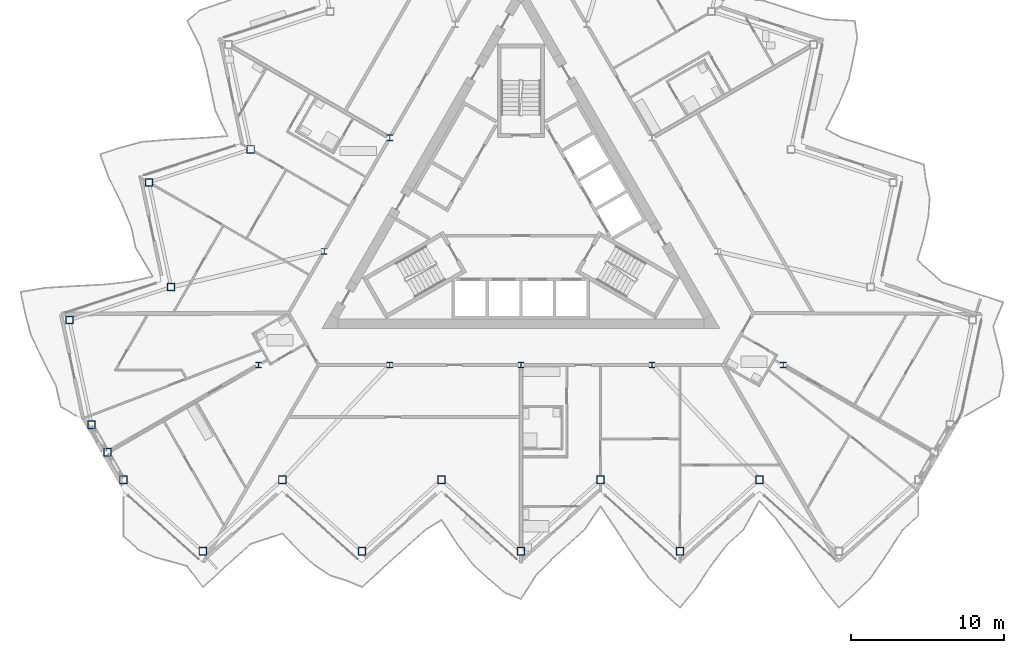
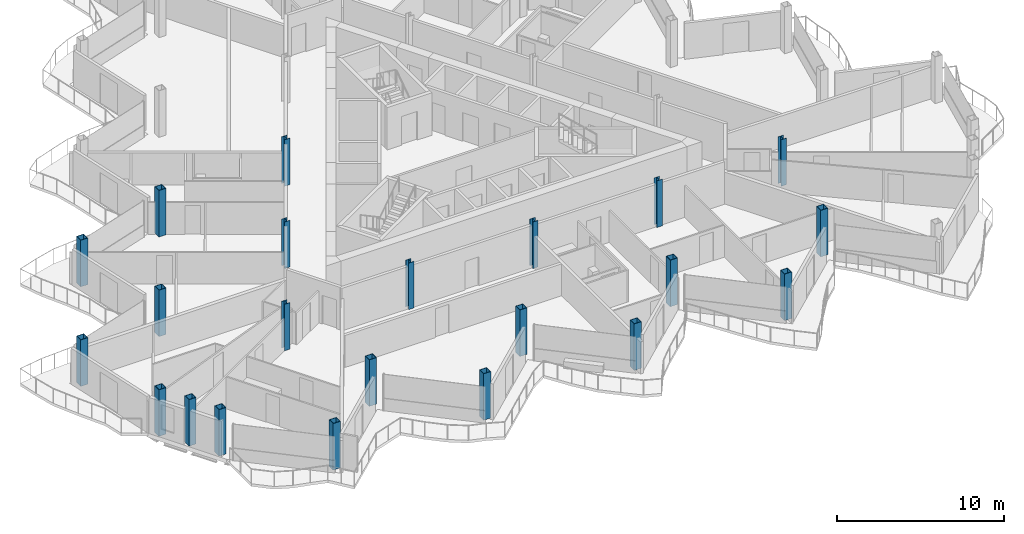
# One storey, part 1 of 26: 22 columns.
"""IFC4 building model written with IfcOpenShell, lengths in metres."""

import ifcopenshell
import ifcopenshell.guid

model = None  # the IFC model being written
_history = None  # IfcOwnerHistory: only IFC2X3 demands one
_inside = {}  # id of a spatial element -> (the spatial element, [elements in it])
_under = {}  # id of a project, library or spatial element -> (it, [spatial elements below it])
_declared = {}  # id of a project -> (the project, [libraries it declares])
_typed = {}  # id of a type object -> (the type object, [elements of that type])
_made_of = {}  # id of a material, layer set ... -> (it, [elements and type objects made of it])


def new_model(schema):
    """Start an empty IFC model of exactly this schema.

    Asked for "IFC4X3", IfcOpenShell would pick the latest addendum, in which some entities
    have other attributes; the version numbers below select the first issue.
    IFC2X3 requires an IfcOwnerHistory on every rooted entity: one is made here for all.
    """
    global model, _history
    if schema == "IFC4X3":
        model = ifcopenshell.file(schema_version=(4, 3, 0, 0))
    else:
        model = ifcopenshell.file(schema=schema)
    _inside.clear()
    _under.clear()
    _declared.clear()
    _typed.clear()
    _made_of.clear()
    _history = None
    if model.schema == "IFC2X3":
        org = make("IfcOrganization", Name="unknown")
        user = make(
            "IfcPersonAndOrganization",
            ThePerson=make("IfcPerson", FamilyName="unknown"),
            TheOrganization=org,
        )
        app = make(
            "IfcApplication",
            ApplicationDeveloper=org,
            Version="unknown",
            ApplicationFullName="unknown",
            ApplicationIdentifier="unknown",
        )
        _history = make(
            "IfcOwnerHistory",
            OwningUser=user,
            OwningApplication=app,
            ChangeAction="ADDED",
            CreationDate=0,
        )
    return model


def make(cls, **values):
    """One entity of the class cls with the attributes given. An attribute that is None is left unset."""
    return model.create_entity(
        cls, **{name: value for name, value in values.items() if value is not None}
    )


def rooted(cls, **values):
    """An entity with a GlobalId (a new one), such as an element, a storey or a relation."""
    return make(cls, GlobalId=ifcopenshell.guid.new(), OwnerHistory=_history, **values)


def si_unit(unit_type, name, prefix=None):
    """IfcSIUnit, for example si_unit("LENGTHUNIT", "METRE", prefix="MILLI")."""
    return make("IfcSIUnit", UnitType=unit_type, Prefix=prefix, Name=name)


def assignment(units):
    """IfcUnitAssignment: the units of a project."""
    return None if units is None else make("IfcUnitAssignment", Units=units)


def point(xyz):
    """IfcCartesianPoint."""
    return None if xyz is None else make("IfcCartesianPoint", Coordinates=xyz)


def direction(xyz):
    """IfcDirection."""
    return None if xyz is None else make("IfcDirection", DirectionRatios=xyz)


def frame(location, z_axis=None, x_axis=None):
    """IfcAxis2Placement3D, a coordinate frame: its origin and axes. An axis left out is left unset."""
    return make(
        "IfcAxis2Placement3D",
        Location=point(location),
        Axis=direction(z_axis),
        RefDirection=direction(x_axis),
    )


def frame_2d(location, x_axis=None):
    """IfcAxis2Placement2D, a coordinate frame in the plane: its origin and x axis."""
    return make(
        "IfcAxis2Placement2D", Location=point(location), RefDirection=direction(x_axis)
    )


def origin():
    """The frame at (0, 0, 0) with its axes left unset."""
    return frame((0.0, 0.0, 0.0))


def origin_2d():
    """The frame at (0, 0) in the plane with its x axis left unset."""
    return frame_2d((0.0, 0.0))


def place(relative_to, where):
    """IfcLocalPlacement: puts the frame where relative to a parent placement (None: the world)."""
    return make(
        "IfcLocalPlacement", PlacementRelTo=relative_to, RelativePlacement=where
    )


def context(
    kind, dimensions, precision=None, world=None, true_north=None, identifier=None
):
    """IfcGeometricRepresentationContext, for example the 3D "Model" context."""
    return make(
        "IfcGeometricRepresentationContext",
        ContextIdentifier=identifier,
        ContextType=kind,
        CoordinateSpaceDimension=dimensions,
        Precision=precision,
        WorldCoordinateSystem=world,
        TrueNorth=true_north,
    )


def subcontext(parent, identifier, kind, view, scale=None):
    """IfcGeometricRepresentationSubContext, for example "Body" below "Model"."""
    return make(
        "IfcGeometricRepresentationSubContext",
        ContextIdentifier=identifier,
        ContextType=kind,
        ParentContext=parent,
        TargetScale=scale,
        TargetView=view,
    )


def project(units=None, contexts=None):
    """IfcProject with its units and contexts."""
    return rooted(
        "IfcProject",
        Name="project",
        RepresentationContexts=contexts,
        UnitsInContext=assignment(units),
    )


def spatial(cls, under=None, at=None, **own):
    """A site, building, storey or space (cls), placed at a placement, below another one or the project."""
    s = rooted(cls, ObjectPlacement=at, **own)
    if under is not None:
        _under.setdefault(under.id(), (under, []))[1].append(s)
    return s


def profile(cls, at=None, kind="AREA", **sizes):
    """A parametric profile (cls). Its sizes go by their IFC names, for example OverallWidth=200.0."""
    return make(cls, ProfileType=kind, Position=at, **sizes)


def hollow_rectangle(**sizes):
    """IfcRectangleHollowProfileDef."""
    return profile("IfcRectangleHollowProfileDef", **sizes)


def i_section(**sizes):
    """IfcIShapeProfileDef."""
    return profile("IfcIShapeProfileDef", **sizes)


def extrude(swept, where, along, depth):
    """IfcExtrudedAreaSolid: the profile swept, set in the frame where, extruded along a direction by depth."""
    return make(
        "IfcExtrudedAreaSolid",
        SweptArea=swept,
        Position=where,
        ExtrudedDirection=direction(along),
        Depth=depth,
    )


def shape(context_of_items, identifier, shape_type, items):
    """IfcShapeRepresentation: the items that make up one representation, for example the "Body"."""
    return make(
        "IfcShapeRepresentation",
        ContextOfItems=context_of_items,
        RepresentationIdentifier=identifier,
        RepresentationType=shape_type,
        Items=items,
    )


def material(Name=None, Category=None):
    """IfcMaterial."""
    return make("IfcMaterial", Name=Name, Category=Category)


def material_profile(
    of_material, cross_section, Name=None, Category=None, Priority=None
):
    """IfcMaterialProfile: a cross section and its material."""
    return make(
        "IfcMaterialProfile",
        Name=Name,
        Material=of_material,
        Profile=cross_section,
        Priority=Priority,
        Category=Category,
    )


def profile_set(profiles, Name=None, composite=None):
    """IfcMaterialProfileSet."""
    return make(
        "IfcMaterialProfileSet",
        Name=Name,
        MaterialProfiles=profiles,
        CompositeProfile=composite,
    )


def made_of(thing, what):
    """Note that an element or type object is made of a material, layer set ...; save() writes the relation."""
    if what is not None:
        _made_of.setdefault(what.id(), (what, []))[1].append(thing)
    return thing


def type_object(cls, material=None, **own):
    """A type object (cls), such as IfcWallType, which elements share."""
    return made_of(rooted(cls, **own), material)


def element(
    cls,
    number,
    at=None,
    inside=None,
    cuts=None,
    type_object=None,
    material=None,
    context=None,
    identifier="Body",
    shape_type=None,
    held_by="IfcProductDefinitionShape",
    body=None,
    shapes=None,
    **own,
):
    """One element of the class cls, such as IfcWall. Its Tag is "e" and its number.

    at: its placement. inside: the storey or other place that contains it. cuts: it is an
    opening in that element (IfcRelVoidsElement). A single representation is given by context,
    identifier, shape_type and body (its items); several are given by shapes. held_by: the class
    of the entity that holds the representations. save() writes the other relations.
    """
    e = rooted(cls, Tag="e%d" % number, ObjectPlacement=at, **own)
    if body is not None:
        shapes = [shape(context, identifier, shape_type, body)]
    if shapes is not None:
        e.Representation = make(held_by, Representations=shapes)
    if inside is not None:
        _inside.setdefault(inside.id(), (inside, []))[1].append(e)
    if cuts is not None:
        rooted(
            "IfcRelVoidsElement", RelatingBuildingElement=cuts, RelatedOpeningElement=e
        )
    if type_object is not None:
        _typed.setdefault(type_object.id(), (type_object, []))[1].append(e)
    return made_of(e, material)


def aggregate(whole, parts):
    """IfcRelAggregates: a whole, such as a stair, and the parts it consists of."""
    return rooted("IfcRelAggregates", RelatingObject=whole, RelatedObjects=parts)


def save(model, path):
    """Write the relations noted so far, then the file.

    IfcRelAggregates (storeys below a building ...), IfcRelContainedInSpatialStructure (elements
    in a storey), IfcRelDefinesByType, IfcRelAssociatesMaterial and IfcRelDeclares: one each for
    every whole, place, type object, material and project.
    """
    for whole, parts in _under.values():
        aggregate(whole, parts)
    for where, things in _inside.values():
        rooted(
            "IfcRelContainedInSpatialStructure",
            RelatedElements=things,
            RelatingStructure=where,
        )
    for kind, things in _typed.values():
        rooted("IfcRelDefinesByType", RelatedObjects=things, RelatingType=kind)
    for what, things in _made_of.values():
        rooted("IfcRelAssociatesMaterial", RelatedObjects=things, RelatingMaterial=what)
    for by, libraries in _declared.values():
        rooted("IfcRelDeclares", RelatingContext=by, RelatedDefinitions=libraries)
    model.write(path)


model = new_model("IFC4")

# Units and contexts
model_context = context("Model", 3, precision=1e-05, world=origin(), true_north=direction((0.0, 1.0)))
body_context = subcontext(model_context, "Body", "Model", "MODEL_VIEW")
ifc_project = project(units=[si_unit("LENGTHUNIT", "METRE"), si_unit("AREAUNIT", "SQUARE_METRE"), si_unit("VOLUMEUNIT", "CUBIC_METRE"), si_unit("PLANEANGLEUNIT", "RADIAN"), si_unit("MASSUNIT", "GRAM", prefix="KILO")], contexts=[model_context])

# Site, building, storey
site_placement = place(None, origin())
site = spatial("IfcSite", under=ifc_project, at=site_placement, CompositionType="ELEMENT")
building_placement = place(site_placement, origin())
building = spatial("IfcBuilding", under=site, at=building_placement, Name="Cormorant Prow Tower", CompositionType="ELEMENT")
storey_placement = place(building_placement, frame((0.0, 0.0, 364.39990234375)))
storey = spatial("IfcBuildingStorey", under=building, at=storey_placement, Name="L81", CompositionType="ELEMENT", Elevation=364.39990234375)

# Columns
ifc_material_1 = material(Name="Structural steel ASTM A572 Gr 50", Category="steel")
ifc_material_profile_1 = material_profile(ifc_material_1, hollow_rectangle(XDim=0.5, YDim=0.5, WallThickness=0.030029296875, at=origin_2d()), Name="Box 500x500x30")
ifc_profile_set_1 = profile_set([ifc_material_profile_1], Name="Structural steel ASTM A572 Gr 50")
column_type_1 = type_object("IfcColumnType", Name="Perimeter box column 500x500x30", PredefinedType="COLUMN", material=ifc_profile_set_1)
for number, where, z_axis, x_axis, name in (
    (1, (-26.0, -17.40576171875, 0.0), (0.0, 0.0, 1.0), (1.0, 0.0, 0.0), "Perimeter column C7 at S00 L81"),
    (2, (-20.800048828125, -22.087890625, 0.0), (0.0, 0.0, 1.0), (1.0, 0.0, 0.0), "Perimeter column C7 at S01 L81"),
    (3, (-15.60009765625, -17.40576171875, 0.0), (0.0, 0.0, 1.0), (1.0, 0.0, 0.0), "Perimeter column C7 at S02 L81"),
    (4, (-10.39990234375, -22.087890625, 0.0), (0.0, 0.0, 1.0), (1.0, 0.0, 0.0), "Perimeter column C7 at S03 L81"),
    (5, (-5.199951171875, -17.40576171875, 0.0), (0.0, 0.0, 1.0), (1.0, 0.0, 0.0), "Perimeter column C7 at S04 L81"),
    (6, (0.0, -22.087890625, 0.0), (0.0, 0.0, 1.0), (1.0, 0.0, 0.0), "Perimeter column C7 at S05 L81"),
    (7, (5.199951171875, -17.40576171875, 0.0), (0.0, 0.0, 1.0), (1.0, 0.0, 0.0), "Perimeter column C7 at S06 L81"),
    (8, (10.39990234375, -22.087890625, 0.0), (0.0, 0.0, 1.0), (1.0, 0.0, 0.0), "Perimeter column C7 at S07 L81"),
    (9, (15.60009765625, -17.40576171875, 0.0), (0.0, 0.0, 1.0), (1.0, 0.0, 0.0), "Perimeter column C7 at S08 L81"),
    (10, (-17.673828125, 4.199462890625, 0.0), (0.0, 0.0, 1.0), (1.0, 0.0, 0.0), "Perimeter column C7 at WNW06 L81"),
    (11, (-24.32861328125, 2.037353515625, 0.0), (0.0, 0.0, 1.0), (1.0, 0.0, 0.0), "Perimeter column C7 at WNW07 L81"),
    (12, (-22.873779296875, -4.80712890625, 0.0), (0.0, 0.0, 1.0), (1.0, 0.0, 0.0), "Perimeter column C7 at WNW08 L81"),
    (13, (-29.528564453125, -6.969482421875, 0.0), (0.0, 0.0, 1.0), (1.0, 0.0, 0.0), "Perimeter column C7 at WNW09 L81"),
    (14, (-28.07373046875, -13.813720703125, 0.0), (0.0, 0.0, 1.0), (1.0, 0.0, 0.0), "Perimeter column C7 at WSW00 L81"),
    (15, (-27.036865234375, -15.60986328125, 0.0), (0.0, 0.0, 1.0), (1.0, 0.0, 0.0), "Perimeter column C7 at WSW01 L81"),
):
    element("IfcColumn", number, at=place(storey_placement, frame(where, z_axis=z_axis, x_axis=x_axis)), inside=storey, type_object=column_type_1, Name=name, PredefinedType="COLUMN", context=body_context, shape_type="SweptSolid", body=[
        extrude(hollow_rectangle(XDim=0.5, YDim=0.5, WallThickness=0.030029296875, at=origin_2d()), origin(), (0.0, 0.0, 1.0), 3.400146484375),
    ])
ifc_material_2 = material(Name="Structural steel ASTM A992 Gr 50", Category="steel")
ifc_material_profile_2 = material_profile(ifc_material_2, i_section(OverallWidth=0.3740234375, OverallDepth=0.372314453125, WebThickness=0.016357421875, FlangeThickness=0.026123046875, at=origin_2d()), Name="W14x132")
ifc_profile_set_2 = profile_set([ifc_material_profile_2], Name="Structural steel ASTM A992 Gr 50")
column_type_2 = type_object("IfcColumnType", Name="Ring column W14x132", PredefinedType="COLUMN", material=ifc_profile_set_2)
for number, where, z_axis, x_axis, name in (
    (16, (-8.578369140625, 4.952880859375, 0.0), (0.0, 0.0, 1.0), (1.0, 0.0, 0.0), "Ring column 3 L81"),
    (17, (-12.86767578125, -2.476318359375, 0.0), (0.0, 0.0, 1.0), (1.0, 0.0, 0.0), "Ring column 4 L81"),
    (18, (-17.156982421875, -9.905517578125, 0.0), (0.0, 0.0, 1.0), (1.0, 0.0, 0.0), "Ring column 5 L81"),
    (19, (-8.578369140625, -9.905517578125, 0.0), (0.0, 0.0, 1.0), (1.0, 0.0, 0.0), "Ring column 6 L81"),
    (20, (0.0, -9.905517578125, 0.0), (0.0, 0.0, 1.0), (1.0, 0.0, 0.0), "Ring column 7 L81"),
    (21, (8.578369140625, -9.905517578125, 0.0), (0.0, 0.0, 1.0), (1.0, 0.0, 0.0), "Ring column 8 L81"),
    (22, (17.156982421875, -9.905517578125, 0.0), (0.0, 0.0, 1.0), (1.0, 0.0, 0.0), "Ring column 9 L81"),
):
    element("IfcColumn", number, at=place(storey_placement, frame(where, z_axis=z_axis, x_axis=x_axis)), inside=storey, type_object=column_type_2, Name=name, PredefinedType="COLUMN", context=body_context, shape_type="SweptSolid", body=[
        extrude(i_section(OverallWidth=0.3740234375, OverallDepth=0.372314453125, WebThickness=0.016357421875, FlangeThickness=0.026123046875, at=origin_2d()), origin(), (0.0, 0.0, 1.0), 3.400146484375),
    ])

save(model, "model.ifc")
